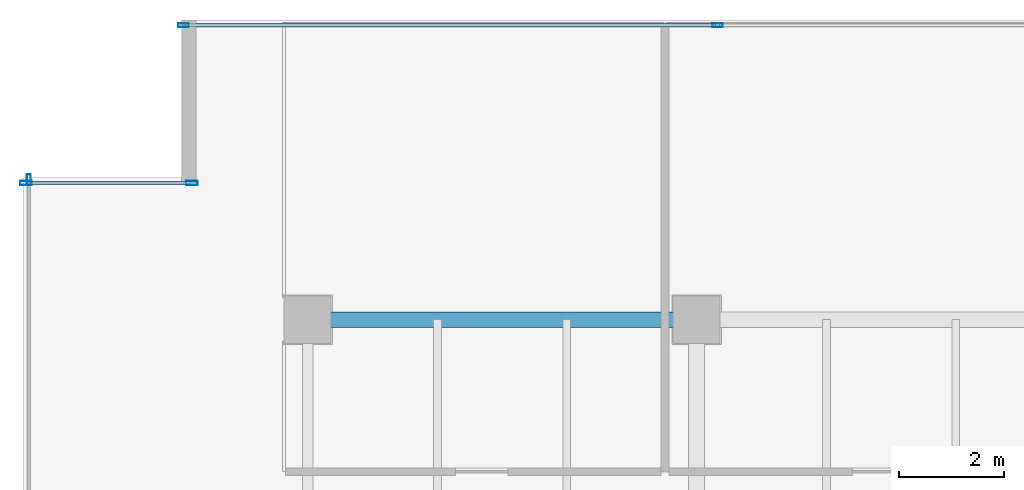
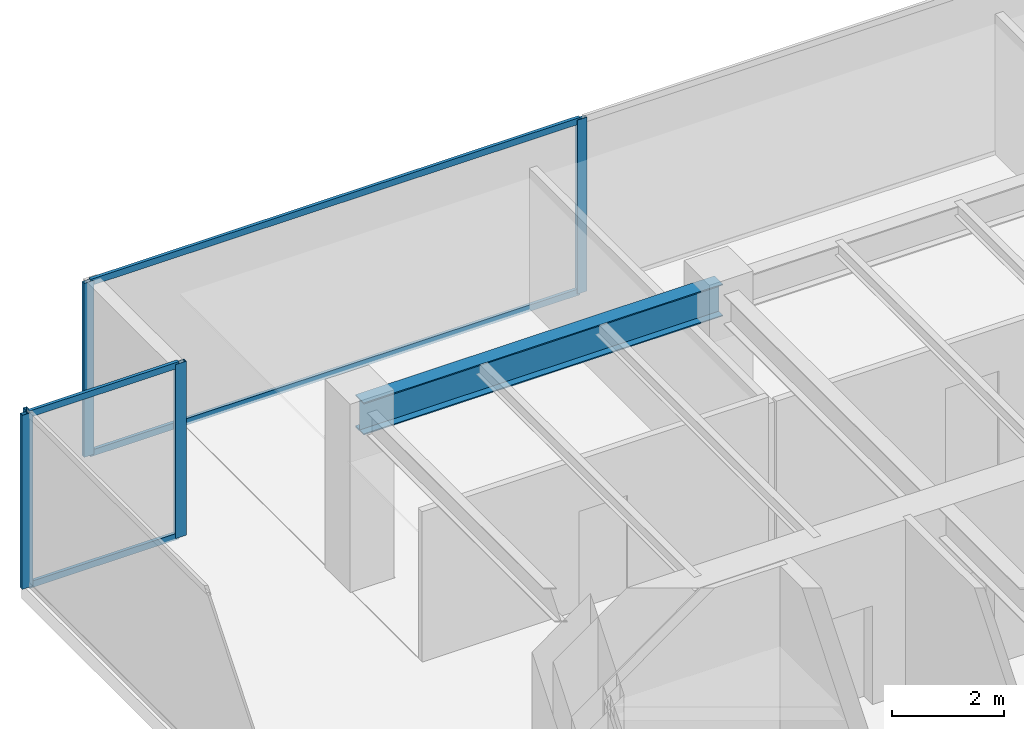
# One storey, part 14 of 33: 9 members, 1 beam, 3 elements without a shape of their own.
"""IFC4 building model written with IfcOpenShell, lengths in metres."""

from ifc_helpers import new_model, si_unit, direction, frame, origin, origin_2d, place, context, subcontext, project, spatial, hollow_rectangle, i_section, extrude, source, transform, mapped, material, layer, layer_set, material_profile, profile_set, type_object, type_shapes, element, aggregate, save


model = new_model("IFC4")

# Units and contexts
model_context = context("Model", 3, precision=1e-05, world=origin(), true_north=direction((0.0, 1.0)))
body_context = subcontext(model_context, "Body", "Model", "MODEL_VIEW")
ifc_project = project(units=[si_unit("LENGTHUNIT", "METRE"), si_unit("AREAUNIT", "SQUARE_METRE"), si_unit("VOLUMEUNIT", "CUBIC_METRE"), si_unit("PLANEANGLEUNIT", "RADIAN"), si_unit("MASSUNIT", "GRAM", prefix="KILO")], contexts=[model_context])

# Site, building, storey
site_placement = place(None, origin())
site = spatial("IfcSite", under=ifc_project, at=site_placement, CompositionType="ELEMENT")
building_placement = place(site_placement, origin())
building = spatial("IfcBuilding", under=site, at=building_placement, Name="Haelvirn Gate Laboratories", CompositionType="ELEMENT")
storey_placement = place(building_placement, frame((0.0, 0.0, 137.89990234375)))
storey = spatial("IfcBuildingStorey", under=building, at=storey_placement, Name="L33", CompositionType="ELEMENT", Elevation=137.89990234375)

# Beam
ifc_material_1 = material(Name="Steel SM355", Category="steel")
ifc_material_profile_1 = material_profile(ifc_material_1, i_section(OverallWidth=0.300048828125, OverallDepth=0.699951171875, WebThickness=0.012939453125, FlangeThickness=0.02392578125, at=origin_2d()), Name="H-700x300x13x24")
ifc_profile_set_1 = profile_set([ifc_material_profile_1], Name="Steel SM355")
beam_type = type_object("IfcBeamType", Name="BM-G-700", PredefinedType="BEAM", material=ifc_profile_set_1)
shared_shape_1 = source(origin(), body_context, "Body", "SweptSolid", [
    extrude(i_section(OverallWidth=0.300048828125, OverallDepth=0.699951171875, WebThickness=0.012939453125, FlangeThickness=0.02392578125, at=origin_2d()), origin(), (0.0, 0.0, 1.0), 7.400146484375),
])
type_shapes(beam_type, [shared_shape_1])
beam_placement = place(storey_placement, frame((7.39990234375, 41.60009765625, 3.440185546875), z_axis=(1.0, 0.0, 0.0), x_axis=(0.0, 1.0, 0.0)))
element("IfcBeam", 1, at=beam_placement, inside=storey, type_object=beam_type, Name="L33 Primary Girder Y41.6 (7.4-14.8)", PredefinedType="BEAM", context=body_context, shape_type="MappedRepresentation", body=[
    mapped(shared_shape_1, transform((0.0, 0.0, 0.0), scale=1.0)),
])

# Curtain wall, members
ifc_material_2 = material(Name="Anodised bronze unitised aluminium & triple low-E glass", Category="aluminium")
ifc_layer_1 = layer(ifc_material_2, 0.179931640625, Name="CW-SYS-3")
ifc_layer_set_1 = layer_set([ifc_layer_1], Name="Anodised bronze unitised aluminium & triple low-E glass")
curtain_wall_type_1 = type_object("IfcCurtainWallType", Name="CW-SYS-3", PredefinedType="NOTDEFINED", material=ifc_layer_set_1)
curtain_wall_1_placement = place(storey_placement, origin())
curtain_wall_1 = element("IfcCurtainWall", 2, at=curtain_wall_1_placement, inside=storey, type_object=curtain_wall_type_1, Name="L33 Unitised Curtain Wall CW-L33-P0-E14-1", PredefinedType="NOTDEFINED")
ifc_material_3 = material(Name="Extruded aluminium 6063-T6 (anodised bronze)", Category="aluminium")
ifc_material_profile_2 = material_profile(ifc_material_3, hollow_rectangle(XDim=0.06494140625, YDim=0.139892578125, WallThickness=0.00390625, at=origin_2d()), Name="CWT-140x65x4")
ifc_profile_set_2 = profile_set([ifc_material_profile_2], Name="Extruded aluminium 6063-T6 (anodised bronze)")
member_type_1 = type_object("IfcMemberType", Name="CWT-T140", PredefinedType="USERDEFINED", material=ifc_profile_set_2)
shared_shape_2 = source(origin(), body_context, "Body", "SweptSolid", [
    extrude(hollow_rectangle(XDim=0.06494140625, YDim=0.139892578125, WallThickness=0.00390625, at=origin_2d()), origin(), (0.0, 0.0, 1.0), 10.087646484375),
])
member_1_placement = place(storey_placement, frame((5.074951171875, 47.199951171875, 0.03271484375), z_axis=(1.0, 0.0, 0.0), x_axis=(0.0, 1.0, 0.0)))
member_1 = element("IfcMember", 3, at=member_1_placement, type_object=member_type_1, Name="CW3 transom 1.1", ObjectType="TRANSOM", PredefinedType="USERDEFINED", context=body_context, shape_type="MappedRepresentation", body=[
    mapped(shared_shape_2, transform((0.0, 0.0, 0.0), scale=1.0)),
])
member_2_placement = place(storey_placement, frame((5.074951171875, 47.199951171875, 3.757568359375), z_axis=(1.0, 0.0, 0.0), x_axis=(0.0, 1.0, 0.0)))
member_2 = element("IfcMember", 4, at=member_2_placement, type_object=member_type_1, Name="CW3 transom 1.2", ObjectType="TRANSOM", PredefinedType="USERDEFINED", context=body_context, shape_type="MappedRepresentation", body=[
    mapped(shared_shape_2, transform((0.0, 0.0, 0.0), scale=1.0)),
])

ifc_layer_2 = layer(ifc_material_2, 0.181884765625, Name="CW-SYS-5")
ifc_layer_set_2 = layer_set([ifc_layer_2], Name="Anodised bronze unitised aluminium & triple low-E glass")
curtain_wall_type_2 = type_object("IfcCurtainWallType", Name="CW-SYS-5", PredefinedType="NOTDEFINED", material=ifc_layer_set_2)
curtain_wall_2_placement = place(storey_placement, origin())
curtain_wall_2 = element("IfcCurtainWall", 5, at=curtain_wall_2_placement, inside=storey, type_object=curtain_wall_type_2, Name="L33 Unitised Curtain Wall CW-L33-P0-E16-1", PredefinedType="NOTDEFINED")
shared_shape_3 = source(origin(), body_context, "Body", "SweptSolid", [
    extrude(hollow_rectangle(XDim=0.06494140625, YDim=0.139892578125, WallThickness=0.00390625, at=origin_2d()), origin(), (0.0, 0.0, 1.0), 3.079833984375),
])
type_shapes(member_type_1, [shared_shape_2, shared_shape_3])
member_3_placement = place(storey_placement, frame((2.080078125, 44.199951171875, 0.03271484375), z_axis=(1.0, 0.0, 0.0), x_axis=(0.0, 1.0, 0.0)))
member_3 = element("IfcMember", 6, at=member_3_placement, type_object=member_type_1, Name="CW5 transom 1.1", ObjectType="TRANSOM", PredefinedType="USERDEFINED", context=body_context, shape_type="MappedRepresentation", body=[
    mapped(shared_shape_3, transform((0.0, 0.0, 0.0), scale=1.0)),
])
member_4_placement = place(storey_placement, frame((2.080078125, 44.199951171875, 3.757568359375), z_axis=(1.0, 0.0, 0.0), x_axis=(0.0, 1.0, 0.0)))
member_4 = element("IfcMember", 7, at=member_4_placement, type_object=member_type_1, Name="CW5 transom 1.2", ObjectType="TRANSOM", PredefinedType="USERDEFINED", context=body_context, shape_type="MappedRepresentation", body=[
    mapped(shared_shape_3, transform((0.0, 0.0, 0.0), scale=1.0)),
])

# Member
ifc_material_profile_3 = material_profile(ifc_material_3, hollow_rectangle(XDim=0.074951171875, YDim=0.199951171875, WallThickness=0.0048828125, at=origin_2d()), Name="CWM-200x75x5")
ifc_profile_set_3 = profile_set([ifc_material_profile_3], Name="Extruded aluminium 6063-T6 (anodised bronze)")
member_type_2 = type_object("IfcMemberType", Name="CWM-T200", PredefinedType="MULLION", material=ifc_profile_set_3)
shared_shape_4 = source(origin(), body_context, "Body", "SweptSolid", [
    extrude(hollow_rectangle(XDim=0.074951171875, YDim=0.199951171875, WallThickness=0.0048828125, at=origin_2d()), origin(), (0.0, 0.0, 1.0), 3.7900390625),
])
type_shapes(member_type_2, [shared_shape_4])
member_5_placement = place(storey_placement, frame((5.03759765625, 47.199951171875, 0.0), z_axis=(0.0, 0.0, 1.0), x_axis=(0.0, 1.0, 0.0)))
member_5 = element("IfcMember", 8, at=member_5_placement, type_object=member_type_2, Name="CW3 mullion 1", PredefinedType="MULLION", context=body_context, shape_type="MappedRepresentation", body=[
    mapped(shared_shape_4, transform((0.0, 0.0, 0.0), scale=1.0)),
])

member_6_placement = place(storey_placement, frame((15.199951171875, 47.199951171875, 0.0), z_axis=(0.0, 0.0, 1.0), x_axis=(0.0, 1.0, 0.0)))
member_6 = element("IfcMember", 9, at=member_6_placement, type_object=member_type_2, Name="CW3 mullion 2", PredefinedType="MULLION", context=body_context, shape_type="MappedRepresentation", body=[
    mapped(shared_shape_4, transform((0.0, 0.0, 0.0), scale=1.0)),
])

aggregate(curtain_wall_1, [member_5, member_6, member_1, member_2])

# Curtain wall, member
curtain_wall_3_placement = place(storey_placement, origin())
curtain_wall_3 = element("IfcCurtainWall", 10, at=curtain_wall_3_placement, inside=storey, type_object=curtain_wall_type_1, Name="L33 Unitised Curtain Wall CW-L33-P0-E17", PredefinedType="NOTDEFINED")
member_7_placement = place(storey_placement, frame((2.10009765625, 44.262451171875, 0.0), z_axis=(0.0, 0.0, 1.0), x_axis=(1.0, 0.0, 0.0)))
member_7 = element("IfcMember", 11, at=member_7_placement, type_object=member_type_2, Name="CW3 mullion 1", PredefinedType="MULLION", context=body_context, shape_type="MappedRepresentation", body=[
    mapped(shared_shape_4, transform((0.0, 0.0, 0.0), scale=1.0)),
])
aggregate(curtain_wall_3, [member_7])

# Member
ifc_material_profile_4 = material_profile(ifc_material_3, hollow_rectangle(XDim=0.080078125, YDim=0.219970703125, WallThickness=0.006103515625, at=origin_2d()), Name="CWM-220x80x6")
ifc_profile_set_4 = profile_set([ifc_material_profile_4], Name="Extruded aluminium 6063-T6 (anodised bronze)")
member_type_3 = type_object("IfcMemberType", Name="CWM-T220", PredefinedType="MULLION", material=ifc_profile_set_4)
shared_shape_5 = source(origin(), body_context, "Body", "SweptSolid", [
    extrude(hollow_rectangle(XDim=0.080078125, YDim=0.219970703125, WallThickness=0.006103515625, at=origin_2d()), origin(), (0.0, 0.0, 1.0), 3.7900390625),
])
type_shapes(member_type_3, [shared_shape_5])
member_8_placement = place(storey_placement, frame((2.0400390625, 44.199951171875, 0.0), z_axis=(0.0, 0.0, 1.0), x_axis=(0.0, 1.0, 0.0)))
member_8 = element("IfcMember", 12, at=member_8_placement, type_object=member_type_3, Name="CW5 mullion 1", PredefinedType="MULLION", context=body_context, shape_type="MappedRepresentation", body=[
    mapped(shared_shape_5, transform((0.0, 0.0, 0.0), scale=1.0)),
])

member_9_placement = place(storey_placement, frame((5.199951171875, 44.199951171875, 0.0), z_axis=(0.0, 0.0, 1.0), x_axis=(0.0, 1.0, 0.0)))
member_9 = element("IfcMember", 13, at=member_9_placement, type_object=member_type_3, Name="CW5 mullion 2", PredefinedType="MULLION", context=body_context, shape_type="MappedRepresentation", body=[
    mapped(shared_shape_5, transform((0.0, 0.0, 0.0), scale=1.0)),
])

aggregate(curtain_wall_2, [member_8, member_9, member_3, member_4])

save(model, "model.ifc")
